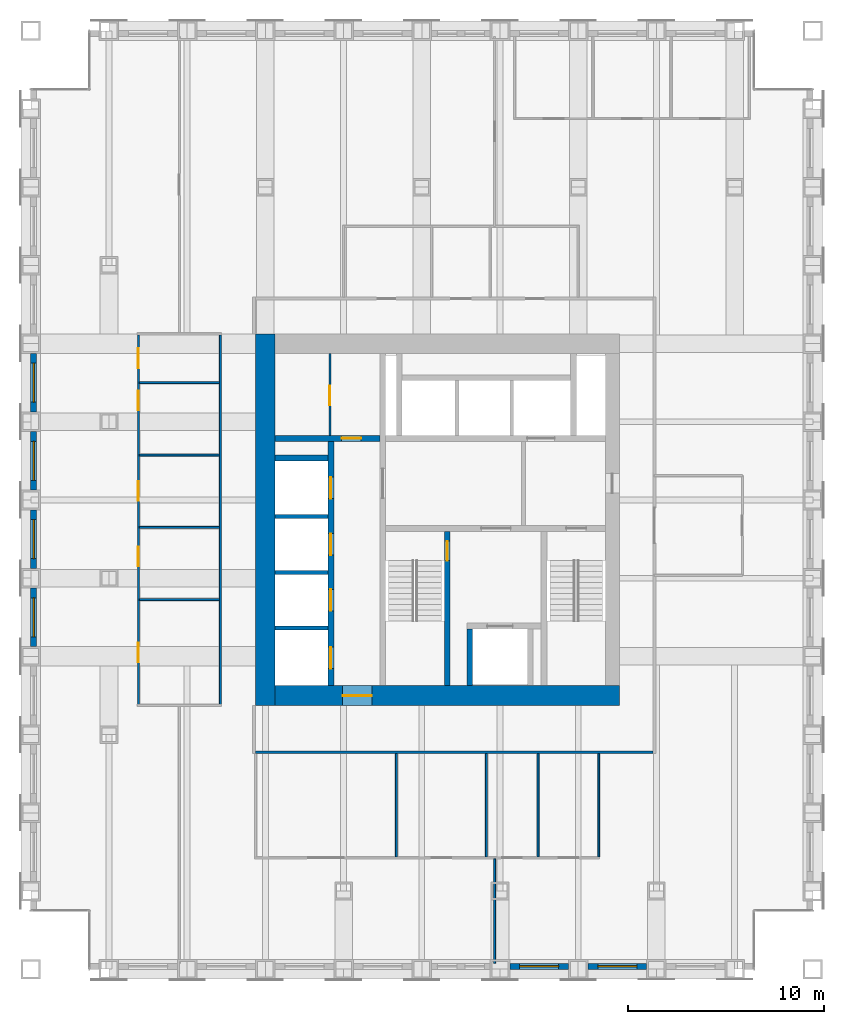
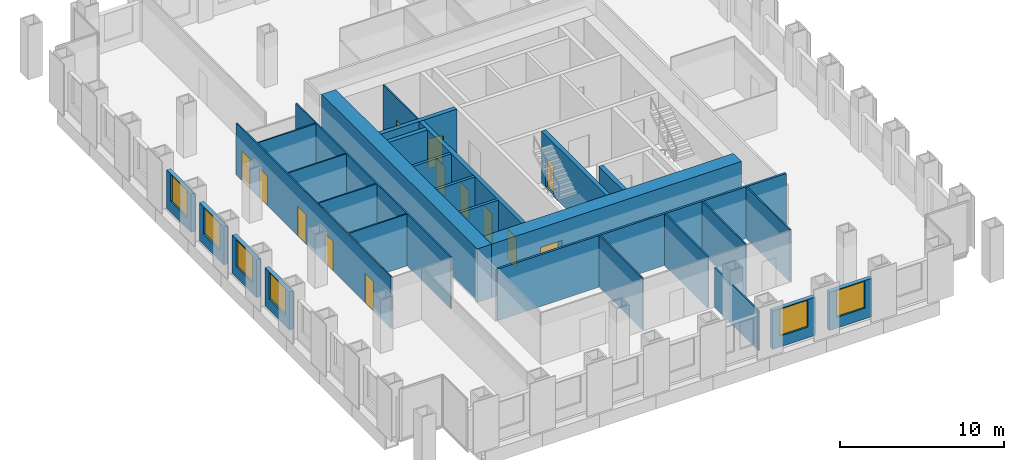
# One storey, part 8 of 12: 29 walls, 13 doors, 6 windows, 19 openings.
"""IFC4 building model written with IfcOpenShell, lengths in metres."""

from ifc_helpers import new_model, si_unit, direction, frame, frame_2d, origin, place, context, subcontext, project, spatial, rectangle, extrude, material, layer, layer_set, type_object, element, fill, save


model = new_model("IFC4")

# Units and contexts
model_context = context("Model", 3, precision=1e-05, world=origin(), true_north=direction((0.0, 1.0)))
body_context = subcontext(model_context, "Body", "Model", "MODEL_VIEW")
ifc_project = project(units=[si_unit("LENGTHUNIT", "METRE"), si_unit("AREAUNIT", "SQUARE_METRE"), si_unit("VOLUMEUNIT", "CUBIC_METRE"), si_unit("PLANEANGLEUNIT", "RADIAN"), si_unit("MASSUNIT", "GRAM", prefix="KILO")], contexts=[model_context])

# Site, building, storey
site_placement = place(None, origin())
site = spatial("IfcSite", under=ifc_project, at=site_placement, CompositionType="ELEMENT")
building_placement = place(site_placement, origin())
building = spatial("IfcBuilding", under=site, at=building_placement, Name="Rimbunsela Tower", CompositionType="ELEMENT")
storey_placement = place(building_placement, frame((0.0, 0.0, 159.800048828125)))
storey = spatial("IfcBuildingStorey", under=building, at=storey_placement, Name="L38", CompositionType="ELEMENT", Elevation=159.800048828125)

# Wall, opening, door
ifc_material_1 = material(Name="Concrete fc' 80 MPa", Category="concrete")
ifc_layer_1 = layer(ifc_material_1, 0.300048828125)
ifc_layer_set_1 = layer_set([ifc_layer_1], Name="Core internal wall 300")
wall_type_1 = type_object("IfcWallType", Name="Core internal wall 300", PredefinedType="SHEAR", material=ifc_layer_set_1)
wall_1_placement = place(storey_placement, frame((27.300048828125, 18.5, -0.150146484375), z_axis=(0.0, 0.0, 1.0), x_axis=(0.0, 1.0, 0.0)))
wall_1 = element("IfcWall", 1, at=wall_1_placement, inside=storey, type_object=wall_type_1, Name="Stair A enclosure", PredefinedType="SHEAR", context=body_context, shape_type="SweptSolid", body=[
    extrude(rectangle(XDim=7.89990234375, YDim=0.300048828125, at=frame_2d((3.949951171875, 0.0))), origin(), (0.0, 0.0, 1.0), 4.0),
])
opening_1_placement = place(wall_1_placement, frame((6.39990234375, 0.0, 0.14990234375)))
opening_1 = element("IfcOpeningElement", 2, at=opening_1_placement, cuts=wall_1, Name="Opening D01", PredefinedType="OPENING", context=body_context, shape_type="SweptSolid", body=[
    extrude(rectangle(XDim=1.0, YDim=2.199951171875, at=frame_2d((0.5, 1.10009765625))), frame((0.0, 0.159912109375, 0.0), z_axis=(0.0, -1.0, 0.0), x_axis=(1.0, 0.0, 0.0)), (0.0, 0.0, 1.0), 0.320068359375),
])
ifc_material_2 = material(Name="Steel door, fire rated", Category="steel")
door_type_1 = type_object("IfcDoorType", Name="Stair door 1000", OperationType="SINGLE_SWING_RIGHT", PredefinedType="DOOR", material=ifc_material_2)
door_1_placement = place(opening_1_placement, origin())
door_1 = element("IfcDoor", 3, at=door_1_placement, inside=storey, type_object=door_type_1, Name="Stair A door", OperationType="SINGLE_SWING_RIGHT", OverallHeight=2.199951171875, OverallWidth=1.0, PredefinedType="DOOR", context=body_context, shape_type="SweptSolid", body=[
    extrude(rectangle(XDim=1.0, YDim=2.199951171875, at=frame_2d((0.5, 1.10009765625))), frame((0.0, 0.02490234375, 0.0), z_axis=(0.0, -1.0, 0.0), x_axis=(1.0, 0.0, 0.0)), (0.0, 0.0, 1.0), 0.050048828125),
])
fill(opening_1, door_1)

# Wall
wall_2_placement = place(storey_placement, frame((28.449951171875, 18.5, -0.150146484375), z_axis=(0.0, 0.0, 1.0), x_axis=(0.0, 1.0, 0.0)))
element("IfcWall", 4, at=wall_2_placement, inside=storey, type_object=wall_type_1, Name="Firefighting lift shaft west", PredefinedType="SHEAR", context=body_context, shape_type="SweptSolid", body=[
    extrude(rectangle(XDim=2.89990234375, YDim=0.300048828125, at=frame_2d((1.449951171875, 0.0))), origin(), (0.0, 0.0, 1.0), 4.0),
])

# Wall, openings, doors
wall_3_placement = place(storey_placement, frame((21.35009765625, 18.5, -0.150146484375), z_axis=(0.0, 0.0, 1.0), x_axis=(0.0, 1.0, 0.0)))
wall_3 = element("IfcWall", 5, at=wall_3_placement, inside=storey, type_object=wall_type_1, Name="Lift shaft front west", PredefinedType="SHEAR", context=body_context, shape_type="SweptSolid", body=[
    extrude(rectangle(XDim=12.5, YDim=0.300048828125, at=frame_2d((6.25, 0.0))), origin(), (0.0, 0.0, 1.0), 4.0),
])
opening_2_placement = place(wall_3_placement, frame((0.875, 0.0, 0.14990234375)))
opening_2 = element("IfcOpeningElement", 6, at=opening_2_placement, cuts=wall_3, Name="Opening LD1", PredefinedType="OPENING", context=body_context, shape_type="SweptSolid", body=[
    extrude(rectangle(XDim=1.10009765625, YDim=2.199951171875, at=frame_2d((0.550048828125, 1.10009765625))), frame((0.0, 0.159912109375, 0.0), z_axis=(0.0, -1.0, 0.0), x_axis=(1.0, 0.0, 0.0)), (0.0, 0.0, 1.0), 0.320068359375),
])
opening_3_placement = place(wall_3_placement, frame((3.824951171875, 0.0, 0.14990234375)))
opening_3 = element("IfcOpeningElement", 7, at=opening_3_placement, cuts=wall_3, Name="Opening LD1", PredefinedType="OPENING", context=body_context, shape_type="SweptSolid", body=[
    extrude(rectangle(XDim=1.10009765625, YDim=2.199951171875, at=frame_2d((0.550048828125, 1.10009765625))), frame((0.0, 0.159912109375, 0.0), z_axis=(0.0, -1.0, 0.0), x_axis=(1.0, 0.0, 0.0)), (0.0, 0.0, 1.0), 0.320068359375),
])
opening_4_placement = place(wall_3_placement, frame((6.675048828125, 0.0, 0.14990234375)))
opening_4 = element("IfcOpeningElement", 8, at=opening_4_placement, cuts=wall_3, Name="Opening LD1", PredefinedType="OPENING", context=body_context, shape_type="SweptSolid", body=[
    extrude(rectangle(XDim=1.10009765625, YDim=2.199951171875, at=frame_2d((0.550048828125, 1.10009765625))), frame((0.0, 0.159912109375, 0.0), z_axis=(0.0, -1.0, 0.0), x_axis=(1.0, 0.0, 0.0)), (0.0, 0.0, 1.0), 0.320068359375),
])
opening_5_placement = place(wall_3_placement, frame((9.574951171875, 0.0, 0.14990234375)))
opening_5 = element("IfcOpeningElement", 9, at=opening_5_placement, cuts=wall_3, Name="Opening LD1", PredefinedType="OPENING", context=body_context, shape_type="SweptSolid", body=[
    extrude(rectangle(XDim=1.10009765625, YDim=2.199951171875, at=frame_2d((0.550048828125, 1.10009765625))), frame((0.0, 0.159912109375, 0.0), z_axis=(0.0, -1.0, 0.0), x_axis=(1.0, 0.0, 0.0)), (0.0, 0.0, 1.0), 0.320068359375),
])
ifc_material_3 = material(Name="Steel door, fire rated", Category="steel")
door_type_2 = type_object("IfcDoorType", Name="Lift landing door 1100", OperationType="DOUBLE_DOOR_SLIDING", PredefinedType="DOOR", material=ifc_material_3)
door_2_placement = place(opening_2_placement, origin())
door_2 = element("IfcDoor", 10, at=door_2_placement, inside=storey, type_object=door_type_2, Name="Lift landing door HL1", OperationType="DOUBLE_DOOR_SLIDING", OverallHeight=2.199951171875, OverallWidth=1.10009765625, PredefinedType="DOOR", context=body_context, shape_type="SweptSolid", body=[
    extrude(rectangle(XDim=1.10009765625, YDim=2.199951171875, at=frame_2d((0.550048828125, 1.10009765625))), frame((0.0, 0.02490234375, 0.0), z_axis=(0.0, -1.0, 0.0), x_axis=(1.0, 0.0, 0.0)), (0.0, 0.0, 1.0), 0.050048828125),
])
fill(opening_2, door_2)
door_3_placement = place(opening_3_placement, origin())
door_3 = element("IfcDoor", 11, at=door_3_placement, inside=storey, type_object=door_type_2, Name="Lift landing door HL2", OperationType="DOUBLE_DOOR_SLIDING", OverallHeight=2.199951171875, OverallWidth=1.10009765625, PredefinedType="DOOR", context=body_context, shape_type="SweptSolid", body=[
    extrude(rectangle(XDim=1.10009765625, YDim=2.199951171875, at=frame_2d((0.550048828125, 1.10009765625))), frame((0.0, 0.02490234375, 0.0), z_axis=(0.0, -1.0, 0.0), x_axis=(1.0, 0.0, 0.0)), (0.0, 0.0, 1.0), 0.050048828125),
])
fill(opening_3, door_3)
door_4_placement = place(opening_4_placement, origin())
door_4 = element("IfcDoor", 12, at=door_4_placement, inside=storey, type_object=door_type_2, Name="Lift landing door HL3", OperationType="DOUBLE_DOOR_SLIDING", OverallHeight=2.199951171875, OverallWidth=1.10009765625, PredefinedType="DOOR", context=body_context, shape_type="SweptSolid", body=[
    extrude(rectangle(XDim=1.10009765625, YDim=2.199951171875, at=frame_2d((0.550048828125, 1.10009765625))), frame((0.0, 0.02490234375, 0.0), z_axis=(0.0, -1.0, 0.0), x_axis=(1.0, 0.0, 0.0)), (0.0, 0.0, 1.0), 0.050048828125),
])
fill(opening_4, door_4)
door_5_placement = place(opening_5_placement, origin())
door_5 = element("IfcDoor", 13, at=door_5_placement, inside=storey, type_object=door_type_2, Name="Lift landing door HL4", OperationType="DOUBLE_DOOR_SLIDING", OverallHeight=2.199951171875, OverallWidth=1.10009765625, PredefinedType="DOOR", context=body_context, shape_type="SweptSolid", body=[
    extrude(rectangle(XDim=1.10009765625, YDim=2.199951171875, at=frame_2d((0.550048828125, 1.10009765625))), frame((0.0, 0.02490234375, 0.0), z_axis=(0.0, -1.0, 0.0), x_axis=(1.0, 0.0, 0.0)), (0.0, 0.0, 1.0), 0.050048828125),
])
fill(opening_5, door_5)

# Wall, opening, door
wall_4_placement = place(storey_placement, frame((18.5, 31.14990234375, -0.150146484375), z_axis=(0.0, 0.0, 1.0), x_axis=(1.0, 0.0, 0.0)))
wall_4 = element("IfcWall", 14, at=wall_4_placement, inside=storey, type_object=wall_type_1, Name="Store wall", PredefinedType="SHEAR", context=body_context, shape_type="SweptSolid", body=[
    extrude(rectangle(XDim=5.35009765625, YDim=0.300048828125, at=frame_2d((2.675048828125, 0.0))), origin(), (0.0, 0.0, 1.0), 4.0),
])
opening_6_placement = place(wall_4_placement, frame((3.39990234375, 0.0, 0.14990234375)))
opening_6 = element("IfcOpeningElement", 15, at=opening_6_placement, cuts=wall_4, Name="Opening D19", PredefinedType="OPENING", context=body_context, shape_type="SweptSolid", body=[
    extrude(rectangle(XDim=1.0, YDim=2.199951171875, at=frame_2d((0.5, 1.10009765625))), frame((0.0, 0.159912109375, 0.0), z_axis=(0.0, -1.0, 0.0), x_axis=(1.0, 0.0, 0.0)), (0.0, 0.0, 1.0), 0.320068359375),
])
ifc_material_4 = material(Name="Steel door, fire rated", Category="steel")
door_type_3 = type_object("IfcDoorType", Name="Service door 1000 fire rated", OperationType="SINGLE_SWING_LEFT", PredefinedType="DOOR", material=ifc_material_4)
door_6_placement = place(opening_6_placement, origin())
door_6 = element("IfcDoor", 16, at=door_6_placement, inside=storey, type_object=door_type_3, Name="Cleaners store door", OperationType="SINGLE_SWING_LEFT", OverallHeight=2.199951171875, OverallWidth=1.0, PredefinedType="DOOR", context=body_context, shape_type="SweptSolid", body=[
    extrude(rectangle(XDim=1.0, YDim=2.199951171875, at=frame_2d((0.5, 1.10009765625))), frame((0.0, 0.02490234375, 0.0), z_axis=(0.0, -1.0, 0.0), x_axis=(1.0, 0.0, 0.0)), (0.0, 0.0, 1.0), 0.050048828125),
])
fill(opening_6, door_6)

# Wall
wall_5_placement = place(storey_placement, frame((18.5, 30.14990234375, -0.150146484375), z_axis=(0.0, 0.0, 1.0), x_axis=(1.0, 0.0, 0.0)))
element("IfcWall", 17, at=wall_5_placement, inside=storey, type_object=wall_type_1, Name="Lift shaft rear west", PredefinedType="SHEAR", context=body_context, shape_type="SweptSolid", body=[
    extrude(rectangle(XDim=2.699951171875, YDim=0.300048828125, at=frame_2d((1.35009765625, 0.0))), origin(), (0.0, 0.0, 1.0), 4.0),
])

# Wall, opening, door
ifc_material_5 = material(Name="Concrete blockwork", Category="masonry")
ifc_layer_2 = layer(ifc_material_5, 0.10009765625)
ifc_layer_set_2 = layer_set([ifc_layer_2], Name="Core room partition 100")
wall_type_2 = type_object("IfcWallType", Name="Core room partition 100", PredefinedType="PARTITIONING", material=ifc_layer_set_2)
wall_6_placement = place(storey_placement, frame((21.300048828125, 31.300048828125, 0.0), z_axis=(0.0, 0.0, 1.0), x_axis=(0.0, 1.0, 0.0)))
wall_6 = element("IfcWall", 18, at=wall_6_placement, inside=storey, type_object=wall_type_2, Name="Housekeeping store wall", PredefinedType="PARTITIONING", context=body_context, shape_type="SweptSolid", body=[
    extrude(rectangle(XDim=4.199951171875, YDim=0.10009765625, at=frame_2d((2.10009765625, 0.0))), origin(), (0.0, 0.0, 1.0), 3.849853515625),
])
opening_7_placement = place(wall_6_placement, frame((1.550048828125, 0.0, 0.0)))
opening_7 = element("IfcOpeningElement", 19, at=opening_7_placement, cuts=wall_6, Name="Opening D19", PredefinedType="OPENING", context=body_context, shape_type="SweptSolid", body=[
    extrude(rectangle(XDim=1.0, YDim=2.199951171875, at=frame_2d((0.5, 1.10009765625))), frame((0.0, 0.06005859375, 0.0), z_axis=(0.0, -1.0, 0.0), x_axis=(1.0, 0.0, 0.0)), (0.0, 0.0, 1.0), 0.1201171875),
])
door_7_placement = place(opening_7_placement, origin())
door_7 = element("IfcDoor", 20, at=door_7_placement, inside=storey, type_object=door_type_3, Name="Housekeeping store door", OperationType="SINGLE_SWING_LEFT", OverallHeight=2.199951171875, OverallWidth=1.0, PredefinedType="DOOR", context=body_context, shape_type="SweptSolid", body=[
    extrude(rectangle(XDim=1.0, YDim=2.199951171875, at=frame_2d((0.5, 1.10009765625))), frame((0.0, 0.02490234375, 0.0), z_axis=(0.0, -1.0, 0.0), x_axis=(1.0, 0.0, 0.0)), (0.0, 0.0, 1.0), 0.050048828125),
])
fill(opening_7, door_7)

# Wall
ifc_material_6 = material(Name="Concrete fc' 80 MPa", Category="concrete")
ifc_layer_3 = layer(ifc_material_6, 1.0)
ifc_layer_set_3 = layer_set([ifc_layer_3], Name="Core wall 1000")
wall_type_3 = type_object("IfcWallType", Name="Core wall 1000", PredefinedType="SHEAR", material=ifc_layer_set_3)
wall_7_placement = place(storey_placement, frame((18.0, 17.5, -0.150146484375), z_axis=(0.0, 0.0, 1.0), x_axis=(0.0, 1.0, 0.0)))
element("IfcWall", 21, at=wall_7_placement, inside=storey, type_object=wall_type_3, Name="Core wall west", PredefinedType="SHEAR", context=body_context, shape_type="SweptSolid", body=[
    extrude(rectangle(XDim=19.0, YDim=1.0, at=frame_2d((9.5, 0.0))), origin(), (0.0, 0.0, 1.0), 4.0),
])

# Wall, opening, door
wall_8_placement = place(storey_placement, frame((18.5, 18.0, -0.150146484375), z_axis=(0.0, 0.0, 1.0), x_axis=(1.0, 0.0, 0.0)))
wall_8 = element("IfcWall", 22, at=wall_8_placement, inside=storey, type_object=wall_type_3, Name="Core wall south", PredefinedType="SHEAR", context=body_context, shape_type="SweptSolid", body=[
    extrude(rectangle(XDim=17.60009765625, YDim=1.0, at=frame_2d((8.800048828125, 0.0))), origin(), (0.0, 0.0, 1.0), 4.0),
])
opening_8_placement = place(wall_8_placement, frame((3.449951171875, 0.0, 0.14990234375)))
opening_8 = element("IfcOpeningElement", 23, at=opening_8_placement, cuts=wall_8, Name="Opening D03", PredefinedType="OPENING", context=body_context, shape_type="SweptSolid", body=[
    extrude(rectangle(XDim=1.5, YDim=2.39990234375, at=frame_2d((0.75, 1.199951171875))), frame((0.0, 0.510009765625, 0.0), z_axis=(0.0, -1.0, 0.0), x_axis=(1.0, 0.0, 0.0)), (0.0, 0.0, 1.0), 1.02001953125),
])
ifc_material_7 = material(Name="Steel door, fire rated", Category="steel")
door_type_4 = type_object("IfcDoorType", Name="Core lobby door 1500", OperationType="DOUBLE_DOOR_DOUBLE_SWING", PredefinedType="DOOR", material=ifc_material_7)
door_8_placement = place(opening_8_placement, origin())
door_8 = element("IfcDoor", 24, at=door_8_placement, inside=storey, type_object=door_type_4, Name="Core door south", OperationType="DOUBLE_DOOR_DOUBLE_SWING", OverallHeight=2.39990234375, OverallWidth=1.5, PredefinedType="DOOR", context=body_context, shape_type="SweptSolid", body=[
    extrude(rectangle(XDim=1.5, YDim=2.39990234375, at=frame_2d((0.75, 1.199951171875))), frame((0.0, 0.02490234375, 0.0), z_axis=(0.0, -1.0, 0.0), x_axis=(1.0, 0.0, 0.0)), (0.0, 0.0, 1.0), 0.050048828125),
])
fill(opening_8, door_8)

# Walls
ifc_material_8 = material(Name="Concrete blockwork", Category="masonry")
ifc_layer_4 = layer(ifc_material_8, 0.199951171875)
ifc_layer_set_4 = layer_set([ifc_layer_4], Name="Lift shaft wall 200")
wall_type_4 = type_object("IfcWallType", Name="Lift shaft wall 200", PredefinedType="SOLIDWALL", material=ifc_layer_set_4)
for number, where, z_axis, x_axis, name in (
    (25, (18.5, 21.449951171875, -0.150146484375), (0.0, 0.0, 1.0), (1.0, 0.0, 0.0), "Lift shaft separation"),
    (26, (18.5, 24.300048828125, -0.150146484375), (0.0, 0.0, 1.0), (1.0, 0.0, 0.0), "Lift shaft separation"),
    (27, (18.5, 27.14990234375, -0.150146484375), (0.0, 0.0, 1.0), (1.0, 0.0, 0.0), "Lift shaft separation"),
):
    element("IfcWall", number, at=place(storey_placement, frame(where, z_axis=z_axis, x_axis=x_axis)), inside=storey, type_object=wall_type_4, Name=name, PredefinedType="SOLIDWALL", context=body_context, shape_type="SweptSolid", body=[
        extrude(rectangle(XDim=2.699951171875, YDim=0.199951171875, at=frame_2d((1.35009765625, 0.0))), origin(), (0.0, 0.0, 1.0), 4.0),
    ])
ifc_material_9 = material(Name="Gypsum board on steel studs", Category="steel")
ifc_layer_5 = layer(ifc_material_9, 0.10009765625)
ifc_layer_set_5 = layer_set([ifc_layer_5], Name="Office partition 100")
wall_type_5 = type_object("IfcWallType", Name="Office partition 100", PredefinedType="PARTITIONING", material=ifc_layer_set_5)
for number, where, z_axis, x_axis, name in (
    (28, (11.550048828125, 22.89990234375, 0.0), (0.0, 0.0, 1.0), (1.0, 0.0, 0.0), "Office partition"),
    (29, (11.550048828125, 26.60009765625, 0.0), (0.0, 0.0, 1.0), (1.0, 0.0, 0.0), "Office partition"),
    (30, (11.550048828125, 30.300048828125, 0.0), (0.0, 0.0, 1.0), (1.0, 0.0, 0.0), "Office partition"),
    (31, (11.550048828125, 34.0, 0.0), (0.0, 0.0, 1.0), (1.0, 0.0, 0.0), "Office partition"),
):
    element("IfcWall", number, at=place(storey_placement, frame(where, z_axis=z_axis, x_axis=x_axis)), inside=storey, type_object=wall_type_5, Name=name, PredefinedType="PARTITIONING", context=body_context, shape_type="SweptSolid", body=[
        extrude(rectangle(XDim=4.099853515625, YDim=0.10009765625, at=frame_2d((2.0498046875, 0.0))), origin(), (0.0, 0.0, 1.0), 3.849853515625),
    ])

# Wall, openings, doors
wall_9_placement = place(storey_placement, frame((11.5, 17.550048828125, 0.0), z_axis=(0.0, 0.0, 1.0), x_axis=(0.0, 1.0, 0.0)))
wall_9 = element("IfcWall", 32, at=wall_9_placement, inside=storey, type_object=wall_type_5, Name="Office partition", PredefinedType="PARTITIONING", context=body_context, shape_type="SweptSolid", body=[
    extrude(rectangle(XDim=18.89990234375, YDim=0.10009765625, at=frame_2d((9.449951171875, 0.0))), origin(), (0.0, 0.0, 1.0), 3.849853515625),
])
opening_9_placement = place(wall_9_placement, frame((2.14990234375, 0.0, 0.0)))
opening_9 = element("IfcOpeningElement", 33, at=opening_9_placement, cuts=wall_9, Name="Opening D17", PredefinedType="OPENING", context=body_context, shape_type="SweptSolid", body=[
    extrude(rectangle(XDim=1.0, YDim=2.199951171875, at=frame_2d((0.5, 1.10009765625))), frame((0.0, 0.06005859375, 0.0), z_axis=(0.0, -1.0, 0.0), x_axis=(1.0, 0.0, 0.0)), (0.0, 0.0, 1.0), 0.1201171875),
])
opening_10_placement = place(wall_9_placement, frame((7.050048828125, 0.0, 0.0)))
opening_10 = element("IfcOpeningElement", 34, at=opening_10_placement, cuts=wall_9, Name="Opening D17", PredefinedType="OPENING", context=body_context, shape_type="SweptSolid", body=[
    extrude(rectangle(XDim=1.0, YDim=2.199951171875, at=frame_2d((0.5, 1.10009765625))), frame((0.0, 0.06005859375, 0.0), z_axis=(0.0, -1.0, 0.0), x_axis=(1.0, 0.0, 0.0)), (0.0, 0.0, 1.0), 0.1201171875),
])
opening_11_placement = place(wall_9_placement, frame((10.39990234375, 0.0, 0.0)))
opening_11 = element("IfcOpeningElement", 35, at=opening_11_placement, cuts=wall_9, Name="Opening D17", PredefinedType="OPENING", context=body_context, shape_type="SweptSolid", body=[
    extrude(rectangle(XDim=1.0, YDim=2.199951171875, at=frame_2d((0.5, 1.10009765625))), frame((0.0, 0.06005859375, 0.0), z_axis=(0.0, -1.0, 0.0), x_axis=(1.0, 0.0, 0.0)), (0.0, 0.0, 1.0), 0.1201171875),
])
opening_12_placement = place(wall_9_placement, frame((15.050048828125, 0.0, 0.0)))
opening_12 = element("IfcOpeningElement", 36, at=opening_12_placement, cuts=wall_9, Name="Opening D17", PredefinedType="OPENING", context=body_context, shape_type="SweptSolid", body=[
    extrude(rectangle(XDim=1.0, YDim=2.199951171875, at=frame_2d((0.5, 1.10009765625))), frame((0.0, 0.06005859375, 0.0), z_axis=(0.0, -1.0, 0.0), x_axis=(1.0, 0.0, 0.0)), (0.0, 0.0, 1.0), 0.1201171875),
])
opening_13_placement = place(wall_9_placement, frame((17.199951171875, 0.0, 0.0)))
opening_13 = element("IfcOpeningElement", 37, at=opening_13_placement, cuts=wall_9, Name="Opening D16", PredefinedType="OPENING", context=body_context, shape_type="SweptSolid", body=[
    extrude(rectangle(XDim=1.0, YDim=2.199951171875, at=frame_2d((0.5, 1.10009765625))), frame((0.0, 0.06005859375, 0.0), z_axis=(0.0, -1.0, 0.0), x_axis=(1.0, 0.0, 0.0)), (0.0, 0.0, 1.0), 0.1201171875),
])
ifc_material_10 = material(Name="Glazed aluminium door", Category="aluminium")
door_type_5 = type_object("IfcDoorType", Name="Meeting room door 1000 glazed", OperationType="SINGLE_SWING_RIGHT", PredefinedType="DOOR", material=ifc_material_10)
door_9_placement = place(opening_9_placement, origin())
door_9 = element("IfcDoor", 38, at=door_9_placement, inside=storey, type_object=door_type_5, Name="Meeting room door", OperationType="SINGLE_SWING_RIGHT", OverallHeight=2.199951171875, OverallWidth=1.0, PredefinedType="DOOR", context=body_context, shape_type="SweptSolid", body=[
    extrude(rectangle(XDim=1.0, YDim=2.199951171875, at=frame_2d((0.5, 1.10009765625))), frame((0.0, 0.02490234375, 0.0), z_axis=(0.0, -1.0, 0.0), x_axis=(1.0, 0.0, 0.0)), (0.0, 0.0, 1.0), 0.050048828125),
])
fill(opening_9, door_9)
door_10_placement = place(opening_10_placement, origin())
door_10 = element("IfcDoor", 39, at=door_10_placement, inside=storey, type_object=door_type_5, Name="Meeting room door", OperationType="SINGLE_SWING_RIGHT", OverallHeight=2.199951171875, OverallWidth=1.0, PredefinedType="DOOR", context=body_context, shape_type="SweptSolid", body=[
    extrude(rectangle(XDim=1.0, YDim=2.199951171875, at=frame_2d((0.5, 1.10009765625))), frame((0.0, 0.02490234375, 0.0), z_axis=(0.0, -1.0, 0.0), x_axis=(1.0, 0.0, 0.0)), (0.0, 0.0, 1.0), 0.050048828125),
])
fill(opening_10, door_10)
door_11_placement = place(opening_11_placement, origin())
door_11 = element("IfcDoor", 40, at=door_11_placement, inside=storey, type_object=door_type_5, Name="Meeting room door", OperationType="SINGLE_SWING_RIGHT", OverallHeight=2.199951171875, OverallWidth=1.0, PredefinedType="DOOR", context=body_context, shape_type="SweptSolid", body=[
    extrude(rectangle(XDim=1.0, YDim=2.199951171875, at=frame_2d((0.5, 1.10009765625))), frame((0.0, 0.02490234375, 0.0), z_axis=(0.0, -1.0, 0.0), x_axis=(1.0, 0.0, 0.0)), (0.0, 0.0, 1.0), 0.050048828125),
])
fill(opening_11, door_11)
door_12_placement = place(opening_12_placement, origin())
door_12 = element("IfcDoor", 41, at=door_12_placement, inside=storey, type_object=door_type_5, Name="Meeting room door", OperationType="SINGLE_SWING_RIGHT", OverallHeight=2.199951171875, OverallWidth=1.0, PredefinedType="DOOR", context=body_context, shape_type="SweptSolid", body=[
    extrude(rectangle(XDim=1.0, YDim=2.199951171875, at=frame_2d((0.5, 1.10009765625))), frame((0.0, 0.02490234375, 0.0), z_axis=(0.0, -1.0, 0.0), x_axis=(1.0, 0.0, 0.0)), (0.0, 0.0, 1.0), 0.050048828125),
])
fill(opening_12, door_12)
ifc_material_11 = material(Name="Timber door", Category="wood")
door_type_6 = type_object("IfcDoorType", Name="Office door 1000", OperationType="SINGLE_SWING_LEFT", PredefinedType="DOOR", material=ifc_material_11)
door_13_placement = place(opening_13_placement, origin())
door_13 = element("IfcDoor", 42, at=door_13_placement, inside=storey, type_object=door_type_6, Name="Office door", OperationType="SINGLE_SWING_LEFT", OverallHeight=2.199951171875, OverallWidth=1.0, PredefinedType="DOOR", context=body_context, shape_type="SweptSolid", body=[
    extrude(rectangle(XDim=1.0, YDim=2.199951171875, at=frame_2d((0.5, 1.10009765625))), frame((0.0, 0.02490234375, 0.0), z_axis=(0.0, -1.0, 0.0), x_axis=(1.0, 0.0, 0.0)), (0.0, 0.0, 1.0), 0.050048828125),
])
fill(opening_13, door_13)

# Walls
wall_10_placement = place(storey_placement, frame((15.699951171875, 17.550048828125, 0.0), z_axis=(0.0, 0.0, 1.0), x_axis=(0.0, 1.0, 0.0)))
element("IfcWall", 43, at=wall_10_placement, inside=storey, type_object=wall_type_5, Name="Office partition", PredefinedType="PARTITIONING", context=body_context, shape_type="SweptSolid", body=[
    extrude(rectangle(XDim=18.89990234375, YDim=0.10009765625, at=frame_2d((9.449951171875, 0.0))), origin(), (0.0, 0.0, 1.0), 3.849853515625),
])
for number, where, z_axis, x_axis, name in (
    (44, (24.699951171875, 9.75, 0.0), (0.0, 0.0, 1.0), (0.0, 1.0, 0.0), "Office partition"),
    (45, (29.300048828125, 9.75, 0.0), (0.0, 0.0, 1.0), (0.0, 1.0, 0.0), "Office partition"),
    (46, (31.949951171875, 9.75, 0.0), (0.0, 0.0, 1.0), (0.0, 1.0, 0.0), "Office partition"),
    (47, (35.050048828125, 9.75, 0.0), (0.0, 0.0, 1.0), (0.0, 1.0, 0.0), "Office partition"),
):
    element("IfcWall", number, at=place(storey_placement, frame(where, z_axis=z_axis, x_axis=x_axis)), inside=storey, type_object=wall_type_5, Name=name, PredefinedType="PARTITIONING", context=body_context, shape_type="SweptSolid", body=[
        extrude(rectangle(XDim=5.27490234375, YDim=0.10009765625, at=frame_2d((2.637451171875, 0.0))), origin(), (0.0, 0.0, 1.0), 3.849853515625),
    ])
wall_11_placement = place(storey_placement, frame((29.72509765625, 9.64990234375, 0.0), z_axis=(0.0, 0.0, 1.0), x_axis=(0.0, -1.0, 0.0)))
element("IfcWall", 48, at=wall_11_placement, inside=storey, type_object=wall_type_5, Name="Office partition", PredefinedType="PARTITIONING", context=body_context, shape_type="SweptSolid", body=[
    extrude(rectangle(XDim=5.349853515625, YDim=0.10009765625, at=frame_2d((2.6748046875, 0.0))), origin(), (0.0, 0.0, 1.0), 2.949951171875),
])

# Wall, opening, window
ifc_material_12 = material(Name="Precast concrete fc' 35 MPa", Category="concrete")
ifc_layer_6 = layer(ifc_material_12, 0.300048828125)
ifc_layer_set_6 = layer_set([ifc_layer_6], Name="Precast concrete fc' 35 MPa")
wall_type_6 = type_object("IfcWallType", Name="Precast facade panel 300", PredefinedType="ELEMENTEDWALL", material=ifc_layer_set_6)
wall_12_placement = place(storey_placement, frame((30.5, 4.14990234375, 0.0), z_axis=(0.0, 0.0, 1.0), x_axis=(1.0, 0.0, 0.0)))
wall_12 = element("IfcWall", 49, at=wall_12_placement, inside=storey, type_object=wall_type_6, Name="Facade panel S L38", PredefinedType="ELEMENTEDWALL", context=body_context, shape_type="SweptSolid", body=[
    extrude(rectangle(XDim=3.0, YDim=0.300048828125, at=frame_2d((1.5, 0.0))), origin(), (0.0, 0.0, 1.0), 2.849853515625),
])
opening_14_placement = place(wall_12_placement, frame((0.5, 0.0, 0.800048828125)))
opening_14 = element("IfcOpeningElement", 50, at=opening_14_placement, cuts=wall_12, Name="Opening W1", PredefinedType="OPENING", context=body_context, shape_type="SweptSolid", body=[
    extrude(rectangle(XDim=2.0, YDim=2.0, at=frame_2d((1.0, 1.0))), frame((0.0, 0.159912109375, 0.0), z_axis=(0.0, -1.0, 0.0), x_axis=(1.0, 0.0, 0.0)), (0.0, 0.0, 1.0), 0.320068359375),
])
ifc_material_13 = material(Name="Clear glass in aluminium frame", Category="aluminium")
window_type = type_object("IfcWindowType", Name="Window W1 2000x2000", PartitioningType="DOUBLE_PANEL_VERTICAL", PredefinedType="WINDOW", material=ifc_material_13)
window_1_placement = place(opening_14_placement, origin())
window_1 = element("IfcWindow", 51, at=window_1_placement, inside=storey, type_object=window_type, Name="Window L38", OverallHeight=2.0, OverallWidth=2.0, PartitioningType="SINGLE_PANEL", PredefinedType="WINDOW", context=body_context, shape_type="SweptSolid", body=[
    extrude(rectangle(XDim=2.0, YDim=2.0, at=frame_2d((1.0, 1.0))), frame((0.0, 0.030029296875, 0.0), z_axis=(0.0, -1.0, 0.0), x_axis=(1.0, 0.0, 0.0)), (0.0, 0.0, 1.0), 0.06005859375),
])
fill(opening_14, window_1)

wall_13_placement = place(storey_placement, frame((34.5, 4.14990234375, 0.0), z_axis=(0.0, 0.0, 1.0), x_axis=(1.0, 0.0, 0.0)))
wall_13 = element("IfcWall", 52, at=wall_13_placement, inside=storey, type_object=wall_type_6, Name="Facade panel S L38", PredefinedType="ELEMENTEDWALL", context=body_context, shape_type="SweptSolid", body=[
    extrude(rectangle(XDim=3.0, YDim=0.300048828125, at=frame_2d((1.5, 0.0))), origin(), (0.0, 0.0, 1.0), 2.849853515625),
])
opening_15_placement = place(wall_13_placement, frame((0.5, 0.0, 0.800048828125)))
opening_15 = element("IfcOpeningElement", 53, at=opening_15_placement, cuts=wall_13, Name="Opening W1", PredefinedType="OPENING", context=body_context, shape_type="SweptSolid", body=[
    extrude(rectangle(XDim=2.0, YDim=2.0, at=frame_2d((1.0, 1.0))), frame((0.0, 0.159912109375, 0.0), z_axis=(0.0, -1.0, 0.0), x_axis=(1.0, 0.0, 0.0)), (0.0, 0.0, 1.0), 0.320068359375),
])
window_2_placement = place(opening_15_placement, origin())
window_2 = element("IfcWindow", 54, at=window_2_placement, inside=storey, type_object=window_type, Name="Window L38", OverallHeight=2.0, OverallWidth=2.0, PartitioningType="SINGLE_PANEL", PredefinedType="WINDOW", context=body_context, shape_type="SweptSolid", body=[
    extrude(rectangle(XDim=2.0, YDim=2.0, at=frame_2d((1.0, 1.0))), frame((0.0, 0.030029296875, 0.0), z_axis=(0.0, -1.0, 0.0), x_axis=(1.0, 0.0, 0.0)), (0.0, 0.0, 1.0), 0.06005859375),
])
fill(opening_15, window_2)

wall_14_placement = place(storey_placement, frame((6.14990234375, 23.5, 0.0), z_axis=(0.0, 0.0, 1.0), x_axis=(0.0, -1.0, 0.0)))
wall_14 = element("IfcWall", 55, at=wall_14_placement, inside=storey, type_object=wall_type_6, Name="Facade panel W L38", PredefinedType="ELEMENTEDWALL", context=body_context, shape_type="SweptSolid", body=[
    extrude(rectangle(XDim=3.0, YDim=0.300048828125, at=frame_2d((1.5, 0.0))), origin(), (0.0, 0.0, 1.0), 2.849853515625),
])
opening_16_placement = place(wall_14_placement, frame((0.5, 0.0, 0.800048828125)))
opening_16 = element("IfcOpeningElement", 56, at=opening_16_placement, cuts=wall_14, Name="Opening W1", PredefinedType="OPENING", context=body_context, shape_type="SweptSolid", body=[
    extrude(rectangle(XDim=2.0, YDim=2.0, at=frame_2d((1.0, 1.0))), frame((0.0, 0.159912109375, 0.0), z_axis=(0.0, -1.0, 0.0), x_axis=(1.0, 0.0, 0.0)), (0.0, 0.0, 1.0), 0.320068359375),
])
window_3_placement = place(opening_16_placement, origin())
window_3 = element("IfcWindow", 57, at=window_3_placement, inside=storey, type_object=window_type, Name="Window L38", OverallHeight=2.0, OverallWidth=2.0, PartitioningType="SINGLE_PANEL", PredefinedType="WINDOW", context=body_context, shape_type="SweptSolid", body=[
    extrude(rectangle(XDim=2.0, YDim=2.0, at=frame_2d((1.0, 1.0))), frame((0.0, 0.030029296875, 0.0), z_axis=(0.0, -1.0, 0.0), x_axis=(1.0, 0.0, 0.0)), (0.0, 0.0, 1.0), 0.06005859375),
])
fill(opening_16, window_3)

wall_15_placement = place(storey_placement, frame((6.14990234375, 27.5, 0.0), z_axis=(0.0, 0.0, 1.0), x_axis=(0.0, -1.0, 0.0)))
wall_15 = element("IfcWall", 58, at=wall_15_placement, inside=storey, type_object=wall_type_6, Name="Facade panel W L38", PredefinedType="ELEMENTEDWALL", context=body_context, shape_type="SweptSolid", body=[
    extrude(rectangle(XDim=3.0, YDim=0.300048828125, at=frame_2d((1.5, 0.0))), origin(), (0.0, 0.0, 1.0), 2.849853515625),
])
opening_17_placement = place(wall_15_placement, frame((0.5, 0.0, 0.800048828125)))
opening_17 = element("IfcOpeningElement", 59, at=opening_17_placement, cuts=wall_15, Name="Opening W1", PredefinedType="OPENING", context=body_context, shape_type="SweptSolid", body=[
    extrude(rectangle(XDim=2.0, YDim=2.0, at=frame_2d((1.0, 1.0))), frame((0.0, 0.159912109375, 0.0), z_axis=(0.0, -1.0, 0.0), x_axis=(1.0, 0.0, 0.0)), (0.0, 0.0, 1.0), 0.320068359375),
])
window_4_placement = place(opening_17_placement, origin())
window_4 = element("IfcWindow", 60, at=window_4_placement, inside=storey, type_object=window_type, Name="Window L38", OverallHeight=2.0, OverallWidth=2.0, PartitioningType="SINGLE_PANEL", PredefinedType="WINDOW", context=body_context, shape_type="SweptSolid", body=[
    extrude(rectangle(XDim=2.0, YDim=2.0, at=frame_2d((1.0, 1.0))), frame((0.0, 0.030029296875, 0.0), z_axis=(0.0, -1.0, 0.0), x_axis=(1.0, 0.0, 0.0)), (0.0, 0.0, 1.0), 0.06005859375),
])
fill(opening_17, window_4)

wall_16_placement = place(storey_placement, frame((6.14990234375, 31.5, 0.0), z_axis=(0.0, 0.0, 1.0), x_axis=(0.0, -1.0, 0.0)))
wall_16 = element("IfcWall", 61, at=wall_16_placement, inside=storey, type_object=wall_type_6, Name="Facade panel W L38", PredefinedType="ELEMENTEDWALL", context=body_context, shape_type="SweptSolid", body=[
    extrude(rectangle(XDim=3.0, YDim=0.300048828125, at=frame_2d((1.5, 0.0))), origin(), (0.0, 0.0, 1.0), 2.849853515625),
])
opening_18_placement = place(wall_16_placement, frame((0.5, 0.0, 0.800048828125)))
opening_18 = element("IfcOpeningElement", 62, at=opening_18_placement, cuts=wall_16, Name="Opening W1", PredefinedType="OPENING", context=body_context, shape_type="SweptSolid", body=[
    extrude(rectangle(XDim=2.0, YDim=2.0, at=frame_2d((1.0, 1.0))), frame((0.0, 0.159912109375, 0.0), z_axis=(0.0, -1.0, 0.0), x_axis=(1.0, 0.0, 0.0)), (0.0, 0.0, 1.0), 0.320068359375),
])
window_5_placement = place(opening_18_placement, origin())
window_5 = element("IfcWindow", 63, at=window_5_placement, inside=storey, type_object=window_type, Name="Window L38", OverallHeight=2.0, OverallWidth=2.0, PartitioningType="SINGLE_PANEL", PredefinedType="WINDOW", context=body_context, shape_type="SweptSolid", body=[
    extrude(rectangle(XDim=2.0, YDim=2.0, at=frame_2d((1.0, 1.0))), frame((0.0, 0.030029296875, 0.0), z_axis=(0.0, -1.0, 0.0), x_axis=(1.0, 0.0, 0.0)), (0.0, 0.0, 1.0), 0.06005859375),
])
fill(opening_18, window_5)

wall_17_placement = place(storey_placement, frame((6.14990234375, 35.5, 0.0), z_axis=(0.0, 0.0, 1.0), x_axis=(0.0, -1.0, 0.0)))
wall_17 = element("IfcWall", 64, at=wall_17_placement, inside=storey, type_object=wall_type_6, Name="Facade panel W L38", PredefinedType="ELEMENTEDWALL", context=body_context, shape_type="SweptSolid", body=[
    extrude(rectangle(XDim=3.0, YDim=0.300048828125, at=frame_2d((1.5, 0.0))), origin(), (0.0, 0.0, 1.0), 2.849853515625),
])
opening_19_placement = place(wall_17_placement, frame((0.5, 0.0, 0.800048828125)))
opening_19 = element("IfcOpeningElement", 65, at=opening_19_placement, cuts=wall_17, Name="Opening W1", PredefinedType="OPENING", context=body_context, shape_type="SweptSolid", body=[
    extrude(rectangle(XDim=2.0, YDim=2.0, at=frame_2d((1.0, 1.0))), frame((0.0, 0.159912109375, 0.0), z_axis=(0.0, -1.0, 0.0), x_axis=(1.0, 0.0, 0.0)), (0.0, 0.0, 1.0), 0.320068359375),
])
window_6_placement = place(opening_19_placement, origin())
window_6 = element("IfcWindow", 66, at=window_6_placement, inside=storey, type_object=window_type, Name="Window L38", OverallHeight=2.0, OverallWidth=2.0, PartitioningType="SINGLE_PANEL", PredefinedType="WINDOW", context=body_context, shape_type="SweptSolid", body=[
    extrude(rectangle(XDim=2.0, YDim=2.0, at=frame_2d((1.0, 1.0))), frame((0.0, 0.030029296875, 0.0), z_axis=(0.0, -1.0, 0.0), x_axis=(1.0, 0.0, 0.0)), (0.0, 0.0, 1.0), 0.06005859375),
])
fill(opening_19, window_6)

# Wall
ifc_material_14 = material(Name="Fire-rated gypsum board on steel studs, EI 60", Category="steel")
ifc_layer_7 = layer(ifc_material_14, 0.14990234375)
ifc_layer_set_7 = layer_set([ifc_layer_7], Name="Rated corridor wall 150")
wall_type_7 = type_object("IfcWallType", Name="Rated corridor wall 150", PredefinedType="PARTITIONING", material=ifc_layer_set_7)
wall_18_placement = place(storey_placement, frame((17.5, 15.10009765625, 0.0), z_axis=(0.0, 0.0, 1.0), x_axis=(1.0, 0.0, 0.0)))
element("IfcWall", 67, at=wall_18_placement, inside=storey, type_object=wall_type_7, Name="Corridor wall south", PredefinedType="PARTITIONING", context=body_context, shape_type="SweptSolid", body=[
    extrude(rectangle(XDim=20.324951171875, YDim=0.14990234375, at=frame_2d((10.16259765625, 0.0))), origin(), (0.0, 0.0, 1.0), 3.849853515625),
])

save(model, "model.ifc")
